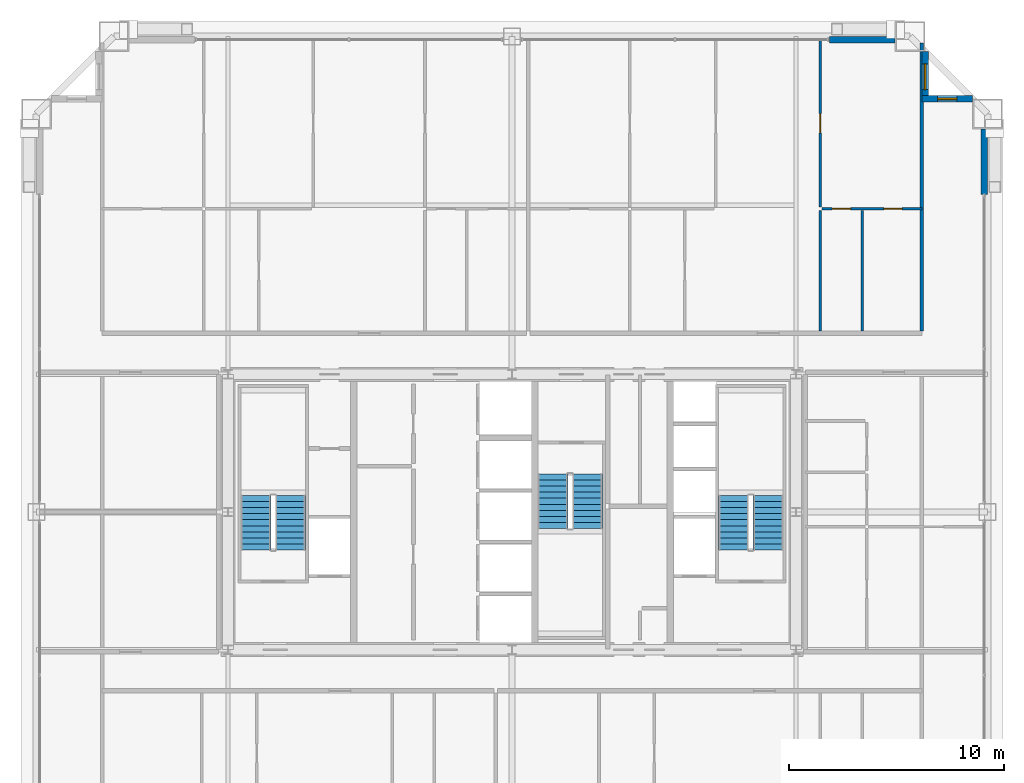
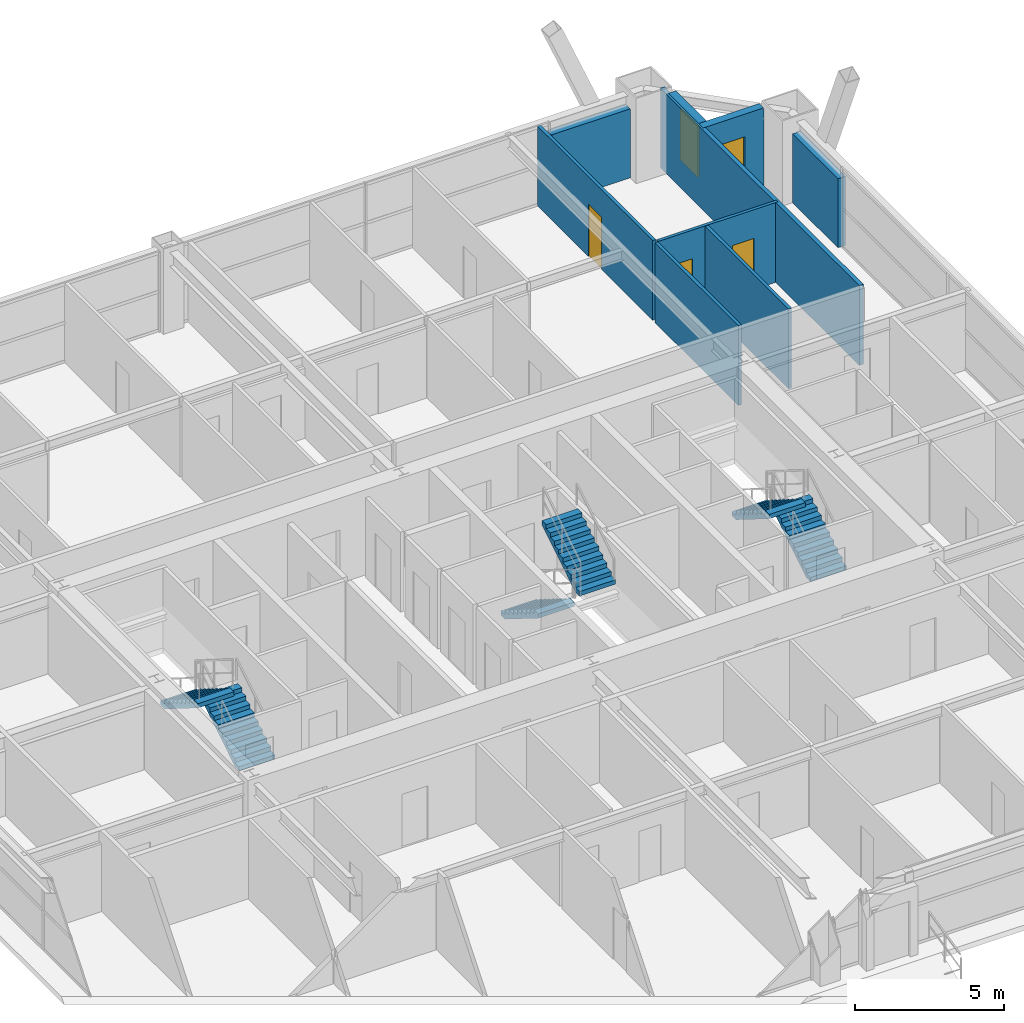
# One storey, part 44 of 45: 9 walls, 6 stair flights, 3 doors, 2 windows, 5 openings, 3 elements without a shape of their own.
"""IFC4 building model written with IfcOpenShell, lengths in metres."""

from ifc_helpers import new_model, si_unit, direction, frame, frame_2d, origin, place, context, subcontext, project, spatial, polyline, rectangle, outline, extrude, source, transform, mapped, material, layer, layer_set, type_object, element, fill, aggregate, save


model = new_model("IFC4")

# Units and contexts
model_context = context("Model", 3, precision=1e-05, world=origin(), true_north=direction((0.0, 1.0)))
body_context = subcontext(model_context, "Body", "Model", "MODEL_VIEW")
ifc_project = project(units=[si_unit("LENGTHUNIT", "METRE"), si_unit("AREAUNIT", "SQUARE_METRE"), si_unit("VOLUMEUNIT", "CUBIC_METRE"), si_unit("PLANEANGLEUNIT", "RADIAN"), si_unit("MASSUNIT", "GRAM", prefix="KILO"), si_unit("THERMODYNAMICTEMPERATUREUNIT", "KELVIN"), si_unit("POWERUNIT", "WATT")], contexts=[model_context])

# Site, building, storey
site_placement = place(None, origin())
site = spatial("IfcSite", under=ifc_project, at=site_placement, CompositionType="ELEMENT")
building_placement = place(site_placement, origin())
building = spatial("IfcBuilding", under=site, at=building_placement, Name="Yuzanri Waterfront Tower", CompositionType="ELEMENT")
storey_placement = place(building_placement, frame((0.0, 0.0, 198.5)))
storey = spatial("IfcBuildingStorey", under=building, at=storey_placement, Name="L52", CompositionType="ELEMENT", Elevation=198.5)

# Wall, openings, doors
ifc_material_1 = material(Name="Moisture-Resistant Gypsum Stud Wall", Category="gypsum")
ifc_layer_1 = layer(ifc_material_1, 0.1201171875)
ifc_layer_set_1 = layer_set([ifc_layer_1], Name="Moisture-Resistant Gypsum Stud Wall")
wall_type_1 = type_object("IfcWallType", Name="Bathroom and Kitchen Wet Partition 120", PredefinedType="PARTITIONING", material=ifc_layer_set_1)
wall_1_placement = place(storey_placement, frame((51.4130859375, 39.89990234375, 0.0), z_axis=(0.0, 0.0, 1.0), x_axis=(1.0, 0.0, 0.0)))
wall_1 = element("IfcWall", 1, at=wall_1_placement, inside=storey, type_object=wall_type_1, Name="L52 Partition UW-L52-RN2-SUB-6-S", PredefinedType="PARTITIONING", context=body_context, shape_type="SweptSolid", body=[
    extrude(rectangle(XDim=4.64697265625, YDim=0.1201171875, at=frame_2d((2.323486328125, 0.0))), origin(), (0.0, 0.0, 1.0), 3.280029296875),
])
opening_1_placement = place(wall_1_placement, frame((2.8720703125, 0.0, 0.0)))
opening_1 = element("IfcOpeningElement", 2, at=opening_1_placement, cuts=wall_1, Name="Opening ID-0850", PredefinedType="OPENING", context=body_context, shape_type="SweptSolid", body=[
    extrude(rectangle(XDim=0.85009765625, YDim=2.10009765625, at=frame_2d((0.425048828125, 1.050048828125))), frame((0.0, 0.074951171875, 0.0), z_axis=(0.0, -1.0, 0.0), x_axis=(1.0, 0.0, 0.0)), (0.0, 0.0, 1.0), 0.14990234375),
])
opening_2_placement = place(wall_1_placement, frame((0.468505859375, 0.0, 0.0)))
opening_2 = element("IfcOpeningElement", 3, at=opening_2_placement, cuts=wall_1, Name="Opening ID-0850", PredefinedType="OPENING", context=body_context, shape_type="SweptSolid", body=[
    extrude(rectangle(XDim=0.85009765625, YDim=2.10009765625, at=frame_2d((0.425048828125, 1.050048828125))), frame((0.0, 0.074951171875, 0.0), z_axis=(0.0, -1.0, 0.0), x_axis=(1.0, 0.0, 0.0)), (0.0, 0.0, 1.0), 0.14990234375),
])
ifc_material_2 = material(Name="Moisture-Resistant Lacquered Timber", Category="wood")
door_type_1 = type_object("IfcDoorType", Name="En-Suite Bathroom and Kitchen Swing Door 850x2100", OperationType="NOTDEFINED", PredefinedType="DOOR", material=ifc_material_2)
shared_shape_1 = source(origin(), body_context, "Body", "SweptSolid", [
    extrude(rectangle(XDim=0.85009765625, YDim=2.10009765625, at=frame_2d((0.425048828125, 1.050048828125))), frame((0.0, 0.02490234375, 0.0), z_axis=(0.0, -1.0, 0.0), x_axis=(1.0, 0.0, 0.0)), (0.0, 0.0, 1.0), 0.050048828125),
])
door_1_placement = place(opening_1_placement, origin())
door_1 = element("IfcDoor", 4, at=door_1_placement, inside=storey, type_object=door_type_1, Name="L52 Suite Interior Room Door", OperationType="SINGLE_SWING_LEFT", OverallHeight=2.10009765625, OverallWidth=0.85009765625, PredefinedType="DOOR", context=body_context, shape_type="MappedRepresentation", body=[
    mapped(shared_shape_1, transform((0.0, 0.0, 0.0), scale=1.0)),
])
fill(opening_1, door_1)
door_2_placement = place(opening_2_placement, origin())
door_2 = element("IfcDoor", 5, at=door_2_placement, inside=storey, type_object=door_type_1, Name="L52 Suite Interior Room Door", OperationType="SINGLE_SWING_RIGHT", OverallHeight=2.10009765625, OverallWidth=0.85009765625, PredefinedType="DOOR", context=body_context, shape_type="MappedRepresentation", body=[
    mapped(shared_shape_1, transform((0.0, 0.0, 0.0), scale=1.0)),
])
fill(opening_2, door_2)

# Wall, opening, door
wall_2_placement = place(storey_placement, frame((51.3330078125, 39.97998046875, 0.0), z_axis=(0.0, 0.0, 1.0), x_axis=(0.0, 1.0, 0.0)))
wall_2 = element("IfcWall", 6, at=wall_2_placement, inside=storey, type_object=wall_type_1, Name="L52 Partition UW-L52-RN2-SUB-6-W", PredefinedType="PARTITIONING", context=body_context, shape_type="SweptSolid", body=[
    extrude(rectangle(XDim=7.77001953125, YDim=0.1201171875, at=frame_2d((3.885009765625, 0.0))), origin(), (0.0, 0.0, 1.0), 3.280029296875),
])
opening_3_placement = place(wall_2_placement, frame((3.43505859375, 0.0, 0.0)))
opening_3 = element("IfcOpeningElement", 7, at=opening_3_placement, cuts=wall_2, Name="Opening ID-0900", PredefinedType="OPENING", context=body_context, shape_type="SweptSolid", body=[
    extrude(rectangle(XDim=0.89990234375, YDim=2.14990234375, at=frame_2d((0.449951171875, 1.074951171875))), frame((0.0, 0.074951171875, 0.0), z_axis=(0.0, -1.0, 0.0), x_axis=(1.0, 0.0, 0.0)), (0.0, 0.0, 1.0), 0.14990234375),
])
ifc_material_3 = material(Name="Stained Walnut Veneer Timber", Category="wood")
door_type_2 = type_object("IfcDoorType", Name="Bedroom and Study Interior Swing Door 900x2150", OperationType="NOTDEFINED", PredefinedType="DOOR", material=ifc_material_3)
shared_shape_2 = source(origin(), body_context, "Body", "SweptSolid", [
    extrude(rectangle(XDim=0.89990234375, YDim=2.14990234375, at=frame_2d((0.449951171875, 1.074951171875))), frame((0.0, 0.02490234375, 0.0), z_axis=(0.0, -1.0, 0.0), x_axis=(1.0, 0.0, 0.0)), (0.0, 0.0, 1.0), 0.050048828125),
])
door_3_placement = place(opening_3_placement, origin())
door_3 = element("IfcDoor", 8, at=door_3_placement, inside=storey, type_object=door_type_2, Name="L52 Suite Interior Room Door", OperationType="SINGLE_SWING_RIGHT", OverallHeight=2.14990234375, OverallWidth=0.89990234375, PredefinedType="DOOR", context=body_context, shape_type="MappedRepresentation", body=[
    mapped(shared_shape_2, transform((0.0, 0.0, 0.0), scale=1.0)),
])
fill(opening_3, door_3)

# Wall, opening, window
ifc_material_4 = material(Name="Honed Chongqing Dark Basalt Stone", Category="masonry")
ifc_layer_2 = layer(ifc_material_4, 0.300048828125)
ifc_layer_set_2 = layer_set([ifc_layer_2], Name="Honed Chongqing Dark Basalt Stone")
wall_type_2 = type_object("IfcWallType", Name="Bronze Rainscreen Insulated Spandrel Portal Wall 300", PredefinedType="SOLIDWALL", material=ifc_layer_set_2)
wall_3_placement = place(storey_placement, frame((58.39990234375, 45.0, 0.0), z_axis=(0.0, 0.0, 1.0), x_axis=(-1.0, 0.0, 0.0)))
wall_3 = element("IfcWall", 9, at=wall_3_placement, inside=storey, type_object=wall_type_2, Name="L52 Notched Corner Masonry Wall NE-X", PredefinedType="SOLIDWALL", context=body_context, shape_type="SweptSolid", body=[
    extrude(rectangle(XDim=2.349853515625, YDim=0.300048828125, at=frame_2d((1.1748046875, 0.0))), origin(), (0.0, 0.0, 1.0), 3.280029296875),
])
opening_4_placement = place(wall_3_placement, frame((0.72509765625, 0.0, 0.85009765625)))
opening_4 = element("IfcOpeningElement", 10, at=opening_4_placement, cuts=wall_3, Name="Opening WN-05", PredefinedType="OPENING", context=body_context, shape_type="SweptSolid", body=[
    extrude(rectangle(XDim=0.89990234375, YDim=1.5, at=frame_2d((0.449951171875, 0.75))), frame((0.0, 0.1650390625, 0.0), z_axis=(0.0, -1.0, 0.0), x_axis=(1.0, 0.0, 0.0)), (0.0, 0.0, 1.0), 0.329833984375),
])
ifc_material_5 = material(Name="Double-Silver Low-E Insulated Glass", Category="glass")
window_type_1 = type_object("IfcWindowType", Name="Anodized Bronze Service and Stairwell Smoke-Vent Window 900x1500", PartitioningType="SINGLE_PANEL", PredefinedType="WINDOW", material=ifc_material_5)
shared_shape_3 = source(origin(), body_context, "Body", "SweptSolid", [
    extrude(rectangle(XDim=0.89990234375, YDim=1.5, at=frame_2d((0.449951171875, 0.75))), frame((0.0, 0.030029296875, 0.0), z_axis=(0.0, -1.0, 0.0), x_axis=(1.0, 0.0, 0.0)), (0.0, 0.0, 1.0), 0.06005859375),
])
window_1_placement = place(opening_4_placement, origin())
window_1 = element("IfcWindow", 11, at=window_1_placement, inside=storey, type_object=window_type_1, Name="L52 Notched Corner Window NE-X", OverallHeight=1.5, OverallWidth=0.89990234375, PartitioningType="SINGLE_PANEL", PredefinedType="WINDOW", context=body_context, shape_type="MappedRepresentation", body=[
    mapped(shared_shape_3, transform((0.0, 0.0, 0.0), scale=1.0)),
])
fill(opening_4, window_1)

wall_4_placement = place(storey_placement, frame((56.199951171875, 44.85009765625, 0.0), z_axis=(0.0, 0.0, 1.0), x_axis=(0.0, 1.0, 0.0)))
wall_4 = element("IfcWall", 12, at=wall_4_placement, inside=storey, type_object=wall_type_2, Name="L52 Notched Corner Masonry Wall NE-Y", PredefinedType="SOLIDWALL", context=body_context, shape_type="SweptSolid", body=[
    extrude(rectangle(XDim=2.349853515625, YDim=0.300048828125, at=frame_2d((1.1748046875, 0.0))), origin(), (0.0, 0.0, 1.0), 3.280029296875),
])
opening_5_placement = place(wall_4_placement, frame((0.574951171875, 0.0, 0.85009765625)))
opening_5 = element("IfcOpeningElement", 13, at=opening_5_placement, cuts=wall_4, Name="Opening WN-02", PredefinedType="OPENING", context=body_context, shape_type="SweptSolid", body=[
    extrude(rectangle(XDim=1.199951171875, YDim=2.10009765625, at=frame_2d((0.60009765625, 1.050048828125))), frame((0.0, 0.1650390625, 0.0), z_axis=(0.0, -1.0, 0.0), x_axis=(1.0, 0.0, 0.0)), (0.0, 0.0, 1.0), 0.329833984375),
])
ifc_material_6 = material(Name="Double-Silver Low-E Insulated Glass", Category="glass")
window_type_2 = type_object("IfcWindowType", Name="Anodized Bronze Notched Corner Deep-Set Slot Window 1200x2100", PartitioningType="SINGLE_PANEL", PredefinedType="WINDOW", material=ifc_material_6)
shared_shape_4 = source(origin(), body_context, "Body", "SweptSolid", [
    extrude(rectangle(XDim=1.199951171875, YDim=2.10009765625, at=frame_2d((0.60009765625, 1.050048828125))), frame((0.0, 0.030029296875, 0.0), z_axis=(0.0, -1.0, 0.0), x_axis=(1.0, 0.0, 0.0)), (0.0, 0.0, 1.0), 0.06005859375),
])
window_2_placement = place(opening_5_placement, origin())
window_2 = element("IfcWindow", 14, at=window_2_placement, inside=storey, type_object=window_type_2, Name="L52 Notched Corner Window NE-Y", OverallHeight=2.10009765625, OverallWidth=1.199951171875, PartitioningType="SINGLE_PANEL", PredefinedType="WINDOW", context=body_context, shape_type="MappedRepresentation", body=[
    mapped(shared_shape_4, transform((0.0, 0.0, 0.0), scale=1.0)),
])
fill(opening_5, window_2)

# Walls
shared_shape_5 = source(origin(), body_context, "Body", "SweptSolid", [
    extrude(rectangle(XDim=3.050048828125, YDim=0.300048828125, at=frame_2d((1.52490234375, 0.0))), origin(), (0.0, 0.0, 1.0), 2.8349609375),
])
for number, where, z_axis, x_axis, name in (
    (15, (51.75, 47.75, 0.0), (0.0, 0.0, 1.0), (1.0, 0.0, 0.0), "L52 N Right Braced Masonry Shoulder"),
    (16, (58.949951171875, 40.550048828125, 0.0), (0.0, 0.0, 1.0), (0.0, 1.0, 0.0), "L52 E Right Braced Masonry Shoulder"),
):
    element("IfcWall", number, at=place(storey_placement, frame(where, z_axis=z_axis, x_axis=x_axis)), inside=storey, type_object=wall_type_2, Name=name, PredefinedType="SOLIDWALL", context=body_context, shape_type="MappedRepresentation", body=[
        mapped(shared_shape_5, transform((0.0, 0.0, 0.0), scale=1.0)),
    ])
ifc_material_7 = material(Name="Gypsum Fireboard Acoustic Stud Wall", Category="gypsum")
ifc_layer_3 = layer(ifc_material_7, 0.159912109375)
ifc_layer_set_3 = layer_set([ifc_layer_3], Name="Gypsum Fireboard Acoustic Stud Wall")
wall_type_3 = type_object("IfcWallType", Name="Acoustic Suite Demising Partition 160", PredefinedType="PARTITIONING", material=ifc_layer_set_3)
shared_shape_6 = source(origin(), body_context, "Body", "SweptSolid", [
    extrude(rectangle(XDim=13.39013671875, YDim=0.159912109375, at=frame_2d((6.695068359375, 0.0))), origin(), (0.0, 0.0, 1.0), 3.280029296875),
])
wall_5_placement = place(storey_placement, frame((56.050048828125, 34.2099609375, 0.0), z_axis=(0.0, 0.0, 1.0), x_axis=(0.0, 1.0, 0.0)))
element("IfcWall", 17, at=wall_5_placement, inside=storey, type_object=wall_type_3, Name="L52 North Band East End Wall", PredefinedType="PARTITIONING", context=body_context, shape_type="MappedRepresentation", body=[
    mapped(shared_shape_6, transform((0.0, 0.0, 0.0), scale=1.0)),
])
shared_shape_7 = source(origin(), body_context, "Body", "SweptSolid", [
    extrude(rectangle(XDim=5.610107421875, YDim=0.1201171875, at=frame_2d((2.80517578125, 0.0))), origin(), (0.0, 0.0, 1.0), 3.280029296875),
])
for number, where, z_axis, x_axis, name in (
    (18, (53.280029296875, 34.2099609375, 0.0), (0.0, 0.0, 1.0), (0.0, 1.0, 0.0), "L52 Partition UW-L52-RN2-SUB-3-W"),
    (19, (51.3330078125, 34.2099609375, 0.0), (0.0, 0.0, 1.0), (0.0, 1.0, 0.0), "L52 Partition UW-L52-RN2-SUB-4-W"),
):
    element("IfcWall", number, at=place(storey_placement, frame(where, z_axis=z_axis, x_axis=x_axis)), inside=storey, type_object=wall_type_1, Name=name, PredefinedType="PARTITIONING", context=body_context, shape_type="MappedRepresentation", body=[
        mapped(shared_shape_7, transform((0.0, 0.0, 0.0), scale=1.0)),
    ])

# Stair, stair flights
ifc_material_8 = material(Name="Concrete C40", Category="concrete")
stair_type = type_object("IfcStairType", Name="Concrete C40 Core Dogleg Exit Stair", PredefinedType="HALF_TURN_STAIR", material=ifc_material_8)
stair_1_placement = place(storey_placement, origin())
stair_1 = element("IfcStair", 20, at=stair_1_placement, inside=storey, type_object=stair_type, Name="L52 Smoke-Proof Core Stair ST-01", PredefinedType="HALF_TURN_STAIR")
ifc_material_9 = material(Name="Concrete C40", Category="concrete")
stair_flight_type = type_object("IfcStairFlightType", Name="Concrete C40 Precast Stair Flight 1380", PredefinedType="STRAIGHT", material=ifc_material_9)
shared_shape_8 = source(origin(), body_context, "Body", "SweptSolid", [
    extrude(outline(polyline([(0.0, 0.0), (0.0, 0.175048828125), (0.280029296875, 0.175048828125), (0.280029296875, 0.35009765625), (0.56005859375, 0.35009765625), (0.56005859375, 0.52490234375), (0.840087890625, 0.52490234375), (0.840087890625, 0.699951171875), (1.1201171875, 0.699951171875), (1.1201171875, 0.875), (1.39990234375, 0.875), (1.39990234375, 1.050048828125), (1.679931640625, 1.050048828125), (1.679931640625, 1.22509765625), (1.9599609375, 1.22509765625), (1.9599609375, 1.39990234375), (2.239990234375, 1.39990234375), (2.239990234375, 1.574951171875), (2.52001953125, 1.574951171875), (2.52001953125, 1.75), (2.52001953125, 1.398193359375), (0.28271484375, 0.0), (0.0, 0.0)])), frame((0.0, 0.699951171875, 0.0), z_axis=(0.0, -1.0, 0.0), x_axis=(1.0, 0.0, 0.0)), (0.0, 0.0, 1.0), 1.39990234375),
])
stair_flight_1_placement = place(storey_placement, frame((26.699951171875, 24.0400390625, 0.0), z_axis=(0.0, 0.0, 1.0), x_axis=(0.0, 1.0, 0.0)))
stair_flight_1 = element("IfcStairFlight", 21, at=stair_flight_1_placement, type_object=stair_flight_type, Name="ST-01 flight 1", NumberOfRisers=10, NumberOfTreads=9, PredefinedType="STRAIGHT", RiserHeight=0.175, TreadLength=0.28, context=body_context, shape_type="MappedRepresentation", body=[
    mapped(shared_shape_8, transform((0.0, 0.0, 0.0), scale=1.0)),
])
stair_flight_2_placement = place(storey_placement, frame((25.10009765625, 26.56005859375, 1.75), z_axis=(0.0, 0.0, 1.0), x_axis=(0.0, -1.0, 0.0)))
stair_flight_2 = element("IfcStairFlight", 22, at=stair_flight_2_placement, type_object=stair_flight_type, Name="ST-01 flight 2", NumberOfRisers=10, NumberOfTreads=9, PredefinedType="STRAIGHT", RiserHeight=0.175, TreadLength=0.28, context=body_context, shape_type="MappedRepresentation", body=[
    mapped(shared_shape_8, transform((0.0, 0.0, 0.0), scale=1.0)),
])
aggregate(stair_1, [stair_flight_1, stair_flight_2])

stair_2_placement = place(storey_placement, origin())
stair_2 = element("IfcStair", 23, at=stair_2_placement, inside=storey, type_object=stair_type, Name="L52 Smoke-Proof Core Stair ST-02", PredefinedType="HALF_TURN_STAIR")
stair_flight_3_placement = place(storey_placement, frame((48.89990234375, 24.0400390625, 0.0), z_axis=(0.0, 0.0, 1.0), x_axis=(0.0, 1.0, 0.0)))
stair_flight_3 = element("IfcStairFlight", 24, at=stair_flight_3_placement, type_object=stair_flight_type, Name="ST-02 flight 1", NumberOfRisers=10, NumberOfTreads=9, PredefinedType="STRAIGHT", RiserHeight=0.175, TreadLength=0.28, context=body_context, shape_type="MappedRepresentation", body=[
    mapped(shared_shape_8, transform((0.0, 0.0, 0.0), scale=1.0)),
])
stair_flight_4_placement = place(storey_placement, frame((47.300048828125, 26.56005859375, 1.75), z_axis=(0.0, 0.0, 1.0), x_axis=(0.0, -1.0, 0.0)))
stair_flight_4 = element("IfcStairFlight", 25, at=stair_flight_4_placement, type_object=stair_flight_type, Name="ST-02 flight 2", NumberOfRisers=10, NumberOfTreads=9, PredefinedType="STRAIGHT", RiserHeight=0.175, TreadLength=0.28, context=body_context, shape_type="MappedRepresentation", body=[
    mapped(shared_shape_8, transform((0.0, 0.0, 0.0), scale=1.0)),
])
aggregate(stair_2, [stair_flight_3, stair_flight_4])

stair_3_placement = place(storey_placement, origin())
stair_3 = element("IfcStair", 26, at=stair_3_placement, inside=storey, type_object=stair_type, Name="L52 Smoke-Proof Core Stair ST-03", PredefinedType="HALF_TURN_STAIR")
stair_flight_5_placement = place(storey_placement, frame((38.89990234375, 27.56005859375, 0.0), z_axis=(0.0, 0.0, 1.0), x_axis=(0.0, -1.0, 0.0)))
stair_flight_5 = element("IfcStairFlight", 27, at=stair_flight_5_placement, type_object=stair_flight_type, Name="ST-03 flight 1", NumberOfRisers=10, NumberOfTreads=9, PredefinedType="STRAIGHT", RiserHeight=0.175, TreadLength=0.28, context=body_context, shape_type="MappedRepresentation", body=[
    mapped(shared_shape_8, transform((0.0, 0.0, 0.0), scale=1.0)),
])
stair_flight_6_placement = place(storey_placement, frame((40.5, 25.0400390625, 1.75), z_axis=(0.0, 0.0, 1.0), x_axis=(0.0, 1.0, 0.0)))
stair_flight_6 = element("IfcStairFlight", 28, at=stair_flight_6_placement, type_object=stair_flight_type, Name="ST-03 flight 2", NumberOfRisers=10, NumberOfTreads=9, PredefinedType="STRAIGHT", RiserHeight=0.175, TreadLength=0.28, context=body_context, shape_type="MappedRepresentation", body=[
    mapped(shared_shape_8, transform((0.0, 0.0, 0.0), scale=1.0)),
])
aggregate(stair_3, [stair_flight_5, stair_flight_6])

save(model, "model.ifc")
